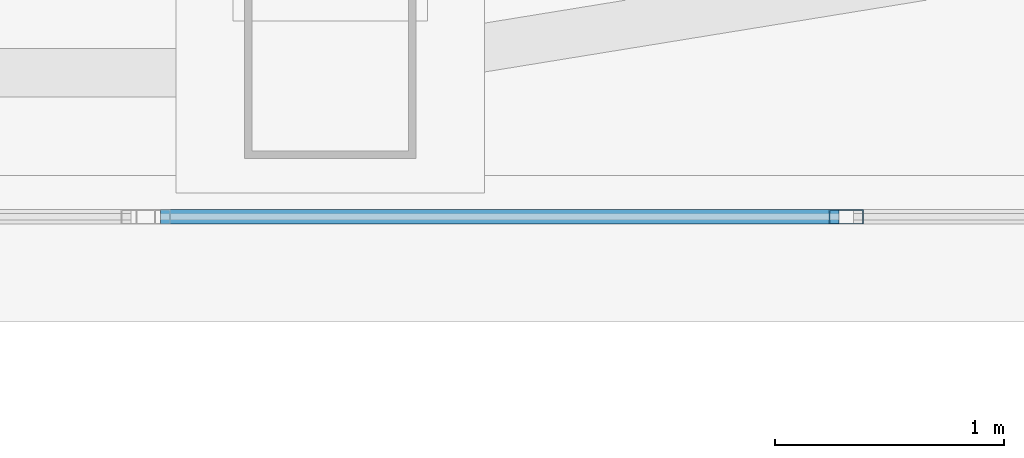
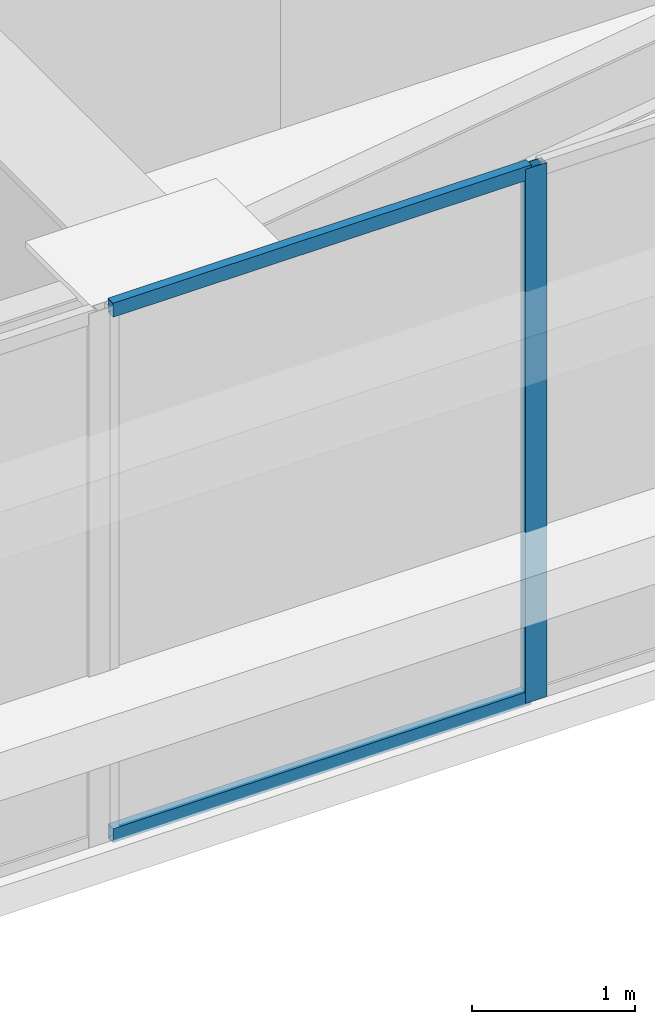
# One storey, part 10 of 51: 3 members, 1 element without a shape of its own.
"""IFC4 building model written with IfcOpenShell, lengths in metres."""

from ifc_helpers import new_model, si_unit, direction, frame, origin, origin_2d, place, context, subcontext, project, spatial, hollow_rectangle, extrude, material, material_profile, profile_set, type_object, element, aggregate, save


model = new_model("IFC4")

# Units and contexts
model_context = context("Model", 3, precision=1e-05, world=origin(), true_north=direction((0.0, 1.0)))
body_context = subcontext(model_context, "Body", "Model", "MODEL_VIEW")
ifc_project = project(units=[si_unit("LENGTHUNIT", "METRE"), si_unit("AREAUNIT", "SQUARE_METRE"), si_unit("VOLUMEUNIT", "CUBIC_METRE"), si_unit("PLANEANGLEUNIT", "RADIAN"), si_unit("MASSUNIT", "GRAM", prefix="KILO")], contexts=[model_context])

# Site, building, storey
site_placement = place(None, origin())
site = spatial("IfcSite", under=ifc_project, at=site_placement, CompositionType="ELEMENT")
building_placement = place(site_placement, origin())
building = spatial("IfcBuilding", under=site, at=building_placement, Name="Tashvorn Skyway Center", CompositionType="ELEMENT")
storey_placement = place(building_placement, frame((0.0, 0.0, 259.39990234375)))
storey = spatial("IfcBuildingStorey", under=building, at=storey_placement, Name="L70", CompositionType="ELEMENT", Elevation=259.39990234375)

# Curtain wall, members
ifc_material = material(Name="Thermally broken bronze-anodized aluminium 6063-T6", Category="aluminium")
curtain_wall_type = type_object("IfcCurtainWallType", Name="CW-CW-SKY", PredefinedType="NOTDEFINED", material=ifc_material)
curtain_wall_placement = place(storey_placement, origin())
curtain_wall = element("IfcCurtainWall", 1, at=curtain_wall_placement, inside=storey, type_object=curtain_wall_type, Name="Tower 1 L70 South Unitised Curtain Wall Glazing Group 1", PredefinedType="NOTDEFINED")
ifc_material_profile_1 = material_profile(ifc_material, hollow_rectangle(XDim=0.06494140625, YDim=0.14990234375, WallThickness=0.00390625, at=origin_2d()), Name="ALU-MULL-65x150")
ifc_profile_set_1 = profile_set([ifc_material_profile_1], Name="Thermally broken bronze-anodized aluminium 6063-T6")
member_type_1 = type_object("IfcMemberType", Name="CWM-CW-SKY", PredefinedType="MULLION", material=ifc_profile_set_1)
member_1_placement = place(storey_placement, frame((49.655517578125, 16.320068359375, 0.0), z_axis=(0.0, 0.0, 1.0), x_axis=(0.0, -1.0, 0.0)))
member_1 = element("IfcMember", 2, at=member_1_placement, type_object=member_type_1, Name="CW-SKY mullion 2", PredefinedType="MULLION", context=body_context, shape_type="SweptSolid", body=[
    extrude(hollow_rectangle(XDim=0.06494140625, YDim=0.14990234375, WallThickness=0.00390625, at=origin_2d()), origin(), (0.0, 0.0, 1.0), 4.0),
])
ifc_material_profile_2 = material_profile(ifc_material, hollow_rectangle(XDim=0.06494140625, YDim=0.10498046875, WallThickness=0.00390625, at=origin_2d()), Name="ALU-TRAN-65x105")
ifc_profile_set_2 = profile_set([ifc_material_profile_2], Name="Thermally broken bronze-anodized aluminium 6063-T6")
member_type_2 = type_object("IfcMemberType", Name="CWT-CW-SKY", PredefinedType="USERDEFINED", material=ifc_profile_set_2)
member_2_placement = place(storey_placement, frame((49.623046875, 16.320068359375, 0.03271484375), z_axis=(-1.0, 0.0, 0.0), x_axis=(0.0, -1.0, 0.0)))
member_2 = element("IfcMember", 3, at=member_2_placement, type_object=member_type_2, Name="CW-SKY transom 2.1", ObjectType="TRANSOM", PredefinedType="USERDEFINED", context=body_context, shape_type="SweptSolid", body=[
    extrude(hollow_rectangle(XDim=0.06494140625, YDim=0.10498046875, WallThickness=0.00390625, at=origin_2d()), origin(), (0.0, 0.0, 1.0), 2.96484375),
])
member_3_placement = place(storey_placement, frame((49.623046875, 16.320068359375, 3.967529296875), z_axis=(-1.0, 0.0, 0.0), x_axis=(0.0, -1.0, 0.0)))
member_3 = element("IfcMember", 4, at=member_3_placement, type_object=member_type_2, Name="CW-SKY transom 2.2", ObjectType="TRANSOM", PredefinedType="USERDEFINED", context=body_context, shape_type="SweptSolid", body=[
    extrude(hollow_rectangle(XDim=0.06494140625, YDim=0.10498046875, WallThickness=0.00390625, at=origin_2d()), origin(), (0.0, 0.0, 1.0), 2.96484375),
])
aggregate(curtain_wall, [member_1, member_2, member_3])

save(model, "model.ifc")
